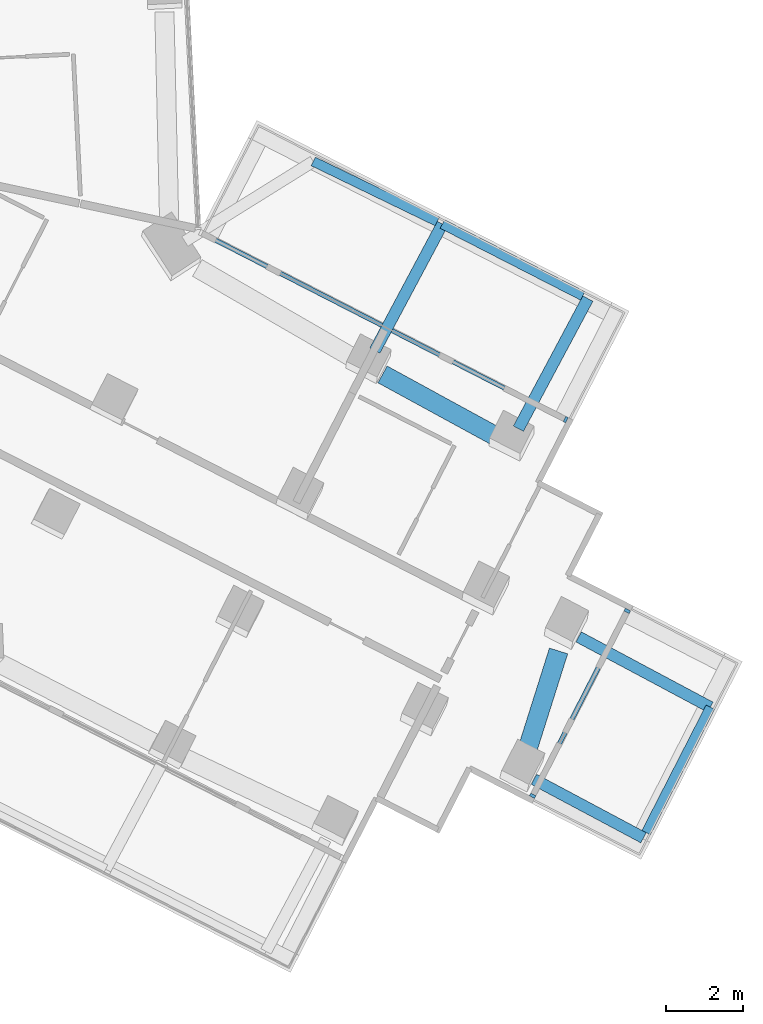
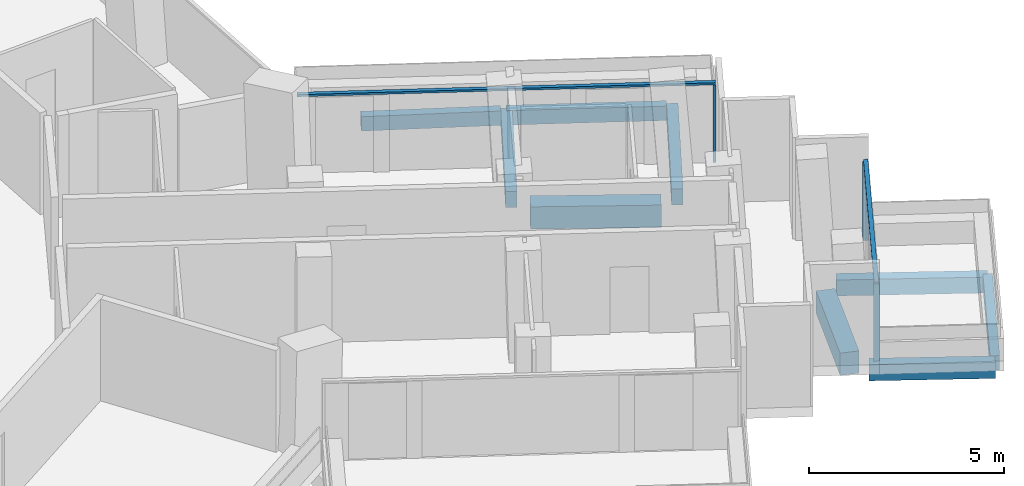
# One storey, part 11 of 25: 9 beams, 5 members, 2 elements without a shape of their own.
"""IFC4 building model written with IfcOpenShell, lengths in metres."""

import ifcopenshell
import ifcopenshell.guid

model = None  # the IFC model being written
_history = None  # IfcOwnerHistory: only IFC2X3 demands one
_inside = {}  # id of a spatial element -> (the spatial element, [elements in it])
_under = {}  # id of a project, library or spatial element -> (it, [spatial elements below it])
_declared = {}  # id of a project -> (the project, [libraries it declares])
_typed = {}  # id of a type object -> (the type object, [elements of that type])
_made_of = {}  # id of a material, layer set ... -> (it, [elements and type objects made of it])


def new_model(schema):
    """Start an empty IFC model of exactly this schema.

    Asked for "IFC4X3", IfcOpenShell would pick the latest addendum, in which some entities
    have other attributes; the version numbers below select the first issue.
    IFC2X3 requires an IfcOwnerHistory on every rooted entity: one is made here for all.
    """
    global model, _history
    if schema == "IFC4X3":
        model = ifcopenshell.file(schema_version=(4, 3, 0, 0))
    else:
        model = ifcopenshell.file(schema=schema)
    _inside.clear()
    _under.clear()
    _declared.clear()
    _typed.clear()
    _made_of.clear()
    _history = None
    if model.schema == "IFC2X3":
        org = make("IfcOrganization", Name="unknown")
        user = make(
            "IfcPersonAndOrganization",
            ThePerson=make("IfcPerson", FamilyName="unknown"),
            TheOrganization=org,
        )
        app = make(
            "IfcApplication",
            ApplicationDeveloper=org,
            Version="unknown",
            ApplicationFullName="unknown",
            ApplicationIdentifier="unknown",
        )
        _history = make(
            "IfcOwnerHistory",
            OwningUser=user,
            OwningApplication=app,
            ChangeAction="ADDED",
            CreationDate=0,
        )
    return model


def make(cls, **values):
    """One entity of the class cls with the attributes given. An attribute that is None is left unset."""
    return model.create_entity(
        cls, **{name: value for name, value in values.items() if value is not None}
    )


def rooted(cls, **values):
    """An entity with a GlobalId (a new one), such as an element, a storey or a relation."""
    return make(cls, GlobalId=ifcopenshell.guid.new(), OwnerHistory=_history, **values)


def si_unit(unit_type, name, prefix=None):
    """IfcSIUnit, for example si_unit("LENGTHUNIT", "METRE", prefix="MILLI")."""
    return make("IfcSIUnit", UnitType=unit_type, Prefix=prefix, Name=name)


def assignment(units):
    """IfcUnitAssignment: the units of a project."""
    return None if units is None else make("IfcUnitAssignment", Units=units)


def point(xyz):
    """IfcCartesianPoint."""
    return None if xyz is None else make("IfcCartesianPoint", Coordinates=xyz)


def direction(xyz):
    """IfcDirection."""
    return None if xyz is None else make("IfcDirection", DirectionRatios=xyz)


def frame(location, z_axis=None, x_axis=None):
    """IfcAxis2Placement3D, a coordinate frame: its origin and axes. An axis left out is left unset."""
    return make(
        "IfcAxis2Placement3D",
        Location=point(location),
        Axis=direction(z_axis),
        RefDirection=direction(x_axis),
    )


def frame_2d(location, x_axis=None):
    """IfcAxis2Placement2D, a coordinate frame in the plane: its origin and x axis."""
    return make(
        "IfcAxis2Placement2D", Location=point(location), RefDirection=direction(x_axis)
    )


def origin():
    """The frame at (0, 0, 0) with its axes left unset."""
    return frame((0.0, 0.0, 0.0))


def origin_2d():
    """The frame at (0, 0) in the plane with its x axis left unset."""
    return frame_2d((0.0, 0.0))


def place(relative_to, where):
    """IfcLocalPlacement: puts the frame where relative to a parent placement (None: the world)."""
    return make(
        "IfcLocalPlacement", PlacementRelTo=relative_to, RelativePlacement=where
    )


def context(
    kind, dimensions, precision=None, world=None, true_north=None, identifier=None
):
    """IfcGeometricRepresentationContext, for example the 3D "Model" context."""
    return make(
        "IfcGeometricRepresentationContext",
        ContextIdentifier=identifier,
        ContextType=kind,
        CoordinateSpaceDimension=dimensions,
        Precision=precision,
        WorldCoordinateSystem=world,
        TrueNorth=true_north,
    )


def subcontext(parent, identifier, kind, view, scale=None):
    """IfcGeometricRepresentationSubContext, for example "Body" below "Model"."""
    return make(
        "IfcGeometricRepresentationSubContext",
        ContextIdentifier=identifier,
        ContextType=kind,
        ParentContext=parent,
        TargetScale=scale,
        TargetView=view,
    )


def project(units=None, contexts=None):
    """IfcProject with its units and contexts."""
    return rooted(
        "IfcProject",
        Name="project",
        RepresentationContexts=contexts,
        UnitsInContext=assignment(units),
    )


def spatial(cls, under=None, at=None, **own):
    """A site, building, storey or space (cls), placed at a placement, below another one or the project."""
    s = rooted(cls, ObjectPlacement=at, **own)
    if under is not None:
        _under.setdefault(under.id(), (under, []))[1].append(s)
    return s


def profile(cls, at=None, kind="AREA", **sizes):
    """A parametric profile (cls). Its sizes go by their IFC names, for example OverallWidth=200.0."""
    return make(cls, ProfileType=kind, Position=at, **sizes)


def rectangle(**sizes):
    """IfcRectangleProfileDef."""
    return profile("IfcRectangleProfileDef", **sizes)


def extrude(swept, where, along, depth):
    """IfcExtrudedAreaSolid: the profile swept, set in the frame where, extruded along a direction by depth."""
    return make(
        "IfcExtrudedAreaSolid",
        SweptArea=swept,
        Position=where,
        ExtrudedDirection=direction(along),
        Depth=depth,
    )


def shape(context_of_items, identifier, shape_type, items):
    """IfcShapeRepresentation: the items that make up one representation, for example the "Body"."""
    return make(
        "IfcShapeRepresentation",
        ContextOfItems=context_of_items,
        RepresentationIdentifier=identifier,
        RepresentationType=shape_type,
        Items=items,
    )


def material(Name=None, Category=None):
    """IfcMaterial."""
    return make("IfcMaterial", Name=Name, Category=Category)


def layer(
    of_material, thickness, ventilated=None, Name=None, Category=None, Priority=None
):
    """IfcMaterialLayer: one layer of a wall or slab, of a material (None: an air gap)."""
    return make(
        "IfcMaterialLayer",
        Material=of_material,
        LayerThickness=thickness,
        IsVentilated=ventilated,
        Name=Name,
        Category=Category,
        Priority=Priority,
    )


def layer_set(layers, Name=None):
    """IfcMaterialLayerSet."""
    return make("IfcMaterialLayerSet", MaterialLayers=layers, LayerSetName=Name)


def material_profile(
    of_material, cross_section, Name=None, Category=None, Priority=None
):
    """IfcMaterialProfile: a cross section and its material."""
    return make(
        "IfcMaterialProfile",
        Name=Name,
        Material=of_material,
        Profile=cross_section,
        Priority=Priority,
        Category=Category,
    )


def profile_set(profiles, Name=None, composite=None):
    """IfcMaterialProfileSet."""
    return make(
        "IfcMaterialProfileSet",
        Name=Name,
        MaterialProfiles=profiles,
        CompositeProfile=composite,
    )


def made_of(thing, what):
    """Note that an element or type object is made of a material, layer set ...; save() writes the relation."""
    if what is not None:
        _made_of.setdefault(what.id(), (what, []))[1].append(thing)
    return thing


def type_object(cls, material=None, **own):
    """A type object (cls), such as IfcWallType, which elements share."""
    return made_of(rooted(cls, **own), material)


def element(
    cls,
    number,
    at=None,
    inside=None,
    cuts=None,
    type_object=None,
    material=None,
    context=None,
    identifier="Body",
    shape_type=None,
    held_by="IfcProductDefinitionShape",
    body=None,
    shapes=None,
    **own,
):
    """One element of the class cls, such as IfcWall. Its Tag is "e" and its number.

    at: its placement. inside: the storey or other place that contains it. cuts: it is an
    opening in that element (IfcRelVoidsElement). A single representation is given by context,
    identifier, shape_type and body (its items); several are given by shapes. held_by: the class
    of the entity that holds the representations. save() writes the other relations.
    """
    e = rooted(cls, Tag="e%d" % number, ObjectPlacement=at, **own)
    if body is not None:
        shapes = [shape(context, identifier, shape_type, body)]
    if shapes is not None:
        e.Representation = make(held_by, Representations=shapes)
    if inside is not None:
        _inside.setdefault(inside.id(), (inside, []))[1].append(e)
    if cuts is not None:
        rooted(
            "IfcRelVoidsElement", RelatingBuildingElement=cuts, RelatedOpeningElement=e
        )
    if type_object is not None:
        _typed.setdefault(type_object.id(), (type_object, []))[1].append(e)
    return made_of(e, material)


def aggregate(whole, parts):
    """IfcRelAggregates: a whole, such as a stair, and the parts it consists of."""
    return rooted("IfcRelAggregates", RelatingObject=whole, RelatedObjects=parts)


def save(model, path):
    """Write the relations noted so far, then the file.

    IfcRelAggregates (storeys below a building ...), IfcRelContainedInSpatialStructure (elements
    in a storey), IfcRelDefinesByType, IfcRelAssociatesMaterial and IfcRelDeclares: one each for
    every whole, place, type object, material and project.
    """
    for whole, parts in _under.values():
        aggregate(whole, parts)
    for where, things in _inside.values():
        rooted(
            "IfcRelContainedInSpatialStructure",
            RelatedElements=things,
            RelatingStructure=where,
        )
    for kind, things in _typed.values():
        rooted("IfcRelDefinesByType", RelatedObjects=things, RelatingType=kind)
    for what, things in _made_of.values():
        rooted("IfcRelAssociatesMaterial", RelatedObjects=things, RelatingMaterial=what)
    for by, libraries in _declared.values():
        rooted("IfcRelDeclares", RelatingContext=by, RelatedDefinitions=libraries)
    model.write(path)


model = new_model("IFC4")

# Units and contexts
model_context = context("Model", 3, precision=1e-05, world=origin(), true_north=direction((0.0, 1.0)))
body_context = subcontext(model_context, "Body", "Model", "MODEL_VIEW")
ifc_project = project(units=[si_unit("LENGTHUNIT", "METRE"), si_unit("AREAUNIT", "SQUARE_METRE"), si_unit("VOLUMEUNIT", "CUBIC_METRE"), si_unit("PLANEANGLEUNIT", "RADIAN"), si_unit("MASSUNIT", "GRAM", prefix="KILO")], contexts=[model_context])

# Site, building, storey
site_placement = place(None, origin())
site = spatial("IfcSite", under=ifc_project, at=site_placement, CompositionType="ELEMENT")
building_placement = place(site_placement, origin())
building = spatial("IfcBuilding", under=site, at=building_placement, Name="Verdalira Terraces Hotel", CompositionType="ELEMENT")
storey_placement = place(building_placement, frame((0.0, 0.0, 46.0)))
storey = spatial("IfcBuildingStorey", under=building, at=storey_placement, Name="L09", CompositionType="ELEMENT", Elevation=46.0)

# Beams
ifc_material_1 = material(Name="Concrete C40", Category="concrete")
ifc_material_profile_1 = material_profile(ifc_material_1, rectangle(XDim=0.300049, YDim=0.5, at=origin_2d()), Name="RC 300X500")
ifc_profile_set_1 = profile_set([ifc_material_profile_1], Name="Concrete C40")
beam_type_1 = type_object("IfcBeamType", Name="Balcony cantilever beam RC 300X500 C40", PredefinedType="BEAM", material=ifc_profile_set_1)
beam_1_placement = place(storey_placement, frame((33.244141, -19.625732, -0.560059), z_axis=(0.882296674, -0.470693721, 0.0), x_axis=(0.470693721, 0.882296674, 0.0)))
element("IfcBeam", 1, at=beam_1_placement, inside=storey, type_object=beam_type_1, Name="Balcony cantilever beam R33-1", PredefinedType="BEAM", context=body_context, shape_type="SweptSolid", body=[
    extrude(rectangle(XDim=0.300049, YDim=0.5, at=origin_2d()), origin(), (0.0, 0.0, 1.0), 3.243408),
])
beam_2_placement = place(storey_placement, frame((34.412598, -15.908691, -0.560059), z_axis=(0.882276646, -0.470731261, 0.0), x_axis=(0.470731261, 0.882276646, 0.0)))
element("IfcBeam", 2, at=beam_2_placement, inside=storey, type_object=beam_type_1, Name="Balcony cantilever beam R33-2", PredefinedType="BEAM", context=body_context, shape_type="SweptSolid", body=[
    extrude(rectangle(XDim=0.300049, YDim=0.5, at=origin_2d()), origin(), (0.0, 0.0, 1.0), 3.898193),
])
beam_3_placement = place(storey_placement, frame((32.840088, -10.472412, -0.560059), z_axis=(0.470765905, 0.882258161, 0.0), x_axis=(-0.882258161, 0.470765905, 0.0)))
element("IfcBeam", 3, at=beam_3_placement, inside=storey, type_object=beam_type_1, Name="Balcony cantilever beam R38-1", PredefinedType="BEAM", context=body_context, shape_type="SweptSolid", body=[
    extrude(rectangle(XDim=0.300049, YDim=0.5, at=origin_2d()), origin(), (0.0, 0.0, 1.0), 3.851074),
])
beam_4_placement = place(storey_placement, frame((29.092285, -8.433594, -0.560059), z_axis=(0.470682975, 0.882302407, 0.0), x_axis=(-0.882302407, 0.470682975, 0.0)))
element("IfcBeam", 4, at=beam_4_placement, inside=storey, type_object=beam_type_1, Name="Balcony cantilever beam R38-2", PredefinedType="BEAM", context=body_context, shape_type="SweptSolid", body=[
    extrude(rectangle(XDim=0.300049, YDim=0.5, at=origin_2d()), origin(), (0.0, 0.0, 1.0), 3.744873),
])
ifc_material_2 = material(Name="Concrete C40", Category="concrete")
ifc_material_profile_2 = material_profile(ifc_material_2, rectangle(XDim=0.25, YDim=0.449951, at=origin_2d()), Name="RC 250X450")
ifc_profile_set_2 = profile_set([ifc_material_profile_2], Name="Concrete C40")
beam_type_2 = type_object("IfcBeamType", Name="Balcony edge beam RC 250X450 C40", PredefinedType="BEAM", material=ifc_profile_set_2)
beam_5_placement = place(storey_placement, frame((36.174316, -21.018799, -0.534912), z_axis=(0.455870742, 0.890045991, 0.0), x_axis=(-0.890045991, 0.455870742, 0.0)))
element("IfcBeam", 5, at=beam_5_placement, inside=storey, type_object=beam_type_2, Name="Balcony edge beam R33-1", PredefinedType="BEAM", context=body_context, shape_type="SweptSolid", body=[
    extrude(rectangle(XDim=0.25, YDim=0.449951, at=origin_2d()), origin(), (0.0, 0.0, 1.0), 3.679688),
])
beam_6_placement = place(storey_placement, frame((34.519531, -7.006104, -0.534912), z_axis=(-0.890068597, 0.455826603, 0.0), x_axis=(-0.455826603, -0.890068597, 0.0)))
element("IfcBeam", 6, at=beam_6_placement, inside=storey, type_object=beam_type_2, Name="Balcony edge beam R38-1", PredefinedType="BEAM", context=body_context, shape_type="SweptSolid", body=[
    extrude(rectangle(XDim=0.25, YDim=0.449951, at=origin_2d()), origin(), (0.0, 0.0, 1.0), 4.117188),
])
beam_7_placement = place(storey_placement, frame((30.719971, -5.063965, -0.534912), z_axis=(-0.899833494, 0.436233519, 0.0), x_axis=(-0.436233519, -0.899833494, 0.0)))
element("IfcBeam", 7, at=beam_7_placement, inside=storey, type_object=beam_type_2, Name="Balcony edge beam R38-2", PredefinedType="BEAM", context=body_context, shape_type="SweptSolid", body=[
    extrude(rectangle(XDim=0.25, YDim=0.449951, at=origin_2d()), origin(), (0.0, 0.0, 1.0), 3.595215),
])

# Curtain wall, members
ifc_material_3 = material(Name="Clear glass", Category="glass")
ifc_layer_1 = layer(ifc_material_3, 0.14990234375)
ifc_layer_set_1 = layer_set([ifc_layer_1], Name="CW2 curtain wall")
curtain_wall_type_1 = type_object("IfcCurtainWallType", Name="CW2 curtain wall", PredefinedType="NOTDEFINED", material=ifc_layer_set_1)
curtain_wall_1_placement = place(storey_placement, origin())
curtain_wall_1 = element("IfcCurtainWall", 8, at=curtain_wall_1_placement, inside=storey, type_object=curtain_wall_type_1, Name="CW2 curtain wall L09 edge 38", PredefinedType="NOTDEFINED")
ifc_material_4 = material(Name="Terracotta frame", Category="masonry")
ifc_material_profile_3 = material_profile(ifc_material_4, rectangle(XDim=0.070068, YDim=0.149902, at=origin_2d()), Name="MU 70x150")
ifc_profile_set_3 = profile_set([ifc_material_profile_3], Name="Terracotta frame")
member_type_1 = type_object("IfcMemberType", Name="CW2 mullion 70x150", PredefinedType="MULLION", material=ifc_profile_set_3)
member_1_placement = place(storey_placement, frame((34.074951, -10.233398, 0.0), z_axis=(0.0, 0.0, 1.0), x_axis=(-0.890053735, 0.455855622, 0.0)))
member_1 = element("IfcMember", 9, at=member_1_placement, type_object=member_type_1, Name="CW2 mullion", PredefinedType="MULLION", context=body_context, shape_type="SweptSolid", body=[
    extrude(rectangle(XDim=0.070068, YDim=0.149902, at=origin_2d()), origin(), (0.0, 0.0, 1.0), 2.425049),
])
ifc_material_5 = material(Name="Terracotta frame", Category="masonry")
ifc_material_profile_4 = material_profile(ifc_material_5, rectangle(XDim=0.11499, YDim=0.064941, at=origin_2d()), Name="TR 65x115")
ifc_profile_set_4 = profile_set([ifc_material_profile_4], Name="Terracotta frame")
member_type_2 = type_object("IfcMemberType", Name="CW2 transom 65x115", PredefinedType="USERDEFINED", material=ifc_profile_set_4)
member_2_placement = place(storey_placement, frame((34.106201, -10.249268, 2.45752), z_axis=(-0.890055703, 0.455851781, 0.0), x_axis=(-0.455851781, -0.890055703, 0.0)))
member_2 = element("IfcMember", 10, at=member_2_placement, type_object=member_type_2, Name="CW2 transom", ObjectType="TRANSOM", PredefinedType="USERDEFINED", context=body_context, shape_type="SweptSolid", body=[
    extrude(rectangle(XDim=0.11499, YDim=0.064941, at=origin_2d()), origin(), (0.0, 0.0, 1.0), 10.770264),
])
aggregate(curtain_wall_1, [member_1, member_2])

ifc_material_6 = material(Name="Clear glass", Category="glass")
ifc_layer_2 = layer(ifc_material_6, 0.14990234375)
ifc_layer_set_2 = layer_set([ifc_layer_2], Name="CW3 curtain wall")
curtain_wall_type_2 = type_object("IfcCurtainWallType", Name="CW3 curtain wall", PredefinedType="NOTDEFINED", material=ifc_layer_set_2)
curtain_wall_2_placement = place(storey_placement, origin())
curtain_wall_2 = element("IfcCurtainWall", 11, at=curtain_wall_2_placement, inside=storey, type_object=curtain_wall_type_2, Name="CW3 curtain wall L09 edge 33", PredefinedType="NOTDEFINED")
ifc_material_7 = material(Name="Terracotta frame", Category="masonry")
ifc_material_profile_5 = material_profile(ifc_material_7, rectangle(XDim=0.080078, YDim=0.149902, at=origin_2d()), Name="MU 80x150")
ifc_profile_set_5 = profile_set([ifc_material_profile_5], Name="Terracotta frame")
member_type_3 = type_object("IfcMemberType", Name="CW3 mullion 80x150", PredefinedType="MULLION", material=ifc_profile_set_5)
member_3_placement = place(storey_placement, frame((33.212891, -20.055176, 0.0), z_axis=(0.0, 0.0, 1.0), x_axis=(0.455855622, 0.890053735, 0.0)))
member_3 = element("IfcMember", 12, at=member_3_placement, type_object=member_type_3, Name="CW3 mullion", PredefinedType="MULLION", context=body_context, shape_type="SweptSolid", body=[
    extrude(rectangle(XDim=0.080078, YDim=0.149902, at=origin_2d()), origin(), (0.0, 0.0, 1.0), 2.425049),
])
member_4_placement = place(storey_placement, frame((35.683594, -15.231201, 0.0), z_axis=(0.0, 0.0, 1.0), x_axis=(0.455855622, 0.890053735, 0.0)))
member_4 = element("IfcMember", 13, at=member_4_placement, type_object=member_type_3, Name="CW3 mullion", PredefinedType="MULLION", context=body_context, shape_type="SweptSolid", body=[
    extrude(rectangle(XDim=0.080078, YDim=0.149902, at=origin_2d()), origin(), (0.0, 0.0, 1.0), 2.425049),
])
ifc_material_8 = material(Name="Terracotta frame", Category="masonry")
ifc_material_profile_6 = material_profile(ifc_material_8, rectangle(XDim=0.120117, YDim=0.064941, at=origin_2d()), Name="TR 65x120")
ifc_profile_set_6 = profile_set([ifc_material_profile_6], Name="Terracotta frame")
member_type_4 = type_object("IfcMemberType", Name="CW3 transom 65x120", PredefinedType="USERDEFINED", material=ifc_profile_set_6)
member_5_placement = place(storey_placement, frame((33.19458, -20.09082, 2.45752), z_axis=(0.455875012, 0.890043804, 0.0), x_axis=(-0.890043804, 0.455875012, 0.0)))
member_5 = element("IfcMember", 14, at=member_5_placement, type_object=member_type_4, Name="CW3 transom", ObjectType="TRANSOM", PredefinedType="USERDEFINED", context=body_context, shape_type="SweptSolid", body=[
    extrude(rectangle(XDim=0.120117, YDim=0.064941, at=origin_2d()), origin(), (0.0, 0.0, 1.0), 5.5),
])
aggregate(curtain_wall_2, [member_3, member_4, member_5])

# Beams
ifc_material_9 = material(Name="Concrete C70", Category="concrete")
ifc_material_profile_7 = material_profile(ifc_material_9, rectangle(XDim=0.5, YDim=0.699951, at=origin_2d()), Name="RC 500X700")
ifc_profile_set_7 = profile_set([ifc_material_profile_7], Name="Concrete C70")
beam_type_3 = type_object("IfcBeamType", Name="Spandrel beam RC 500X700 C70", PredefinedType="SPANDREL", material=ifc_profile_set_7)
beam_8_placement = place(storey_placement, frame((33.024414, -19.006592, -0.659912), z_axis=(0.301543203, 0.953452514, 0.0), x_axis=(-0.953452514, 0.301543203, 0.0)))
element("IfcBeam", 15, at=beam_8_placement, inside=storey, type_object=beam_type_3, Name="Spandrel beam B27", PredefinedType="SPANDREL", context=body_context, shape_type="SweptSolid", body=[
    extrude(rectangle(XDim=0.5, YDim=0.699951, at=origin_2d()), origin(), (0.0, 0.0, 1.0), 2.865234),
])
beam_9_placement = place(storey_placement, frame((32.24585, -10.668213, -0.659912), z_axis=(-0.877615373, 0.479365474, 0.0), x_axis=(-0.479365474, -0.877615373, 0.0)))
element("IfcBeam", 16, at=beam_9_placement, inside=storey, type_object=beam_type_3, Name="Spandrel beam B28", PredefinedType="SPANDREL", context=body_context, shape_type="SweptSolid", body=[
    extrude(rectangle(XDim=0.5, YDim=0.699951, at=origin_2d()), origin(), (0.0, 0.0, 1.0), 3.36499),
])

save(model, "model.ifc")
